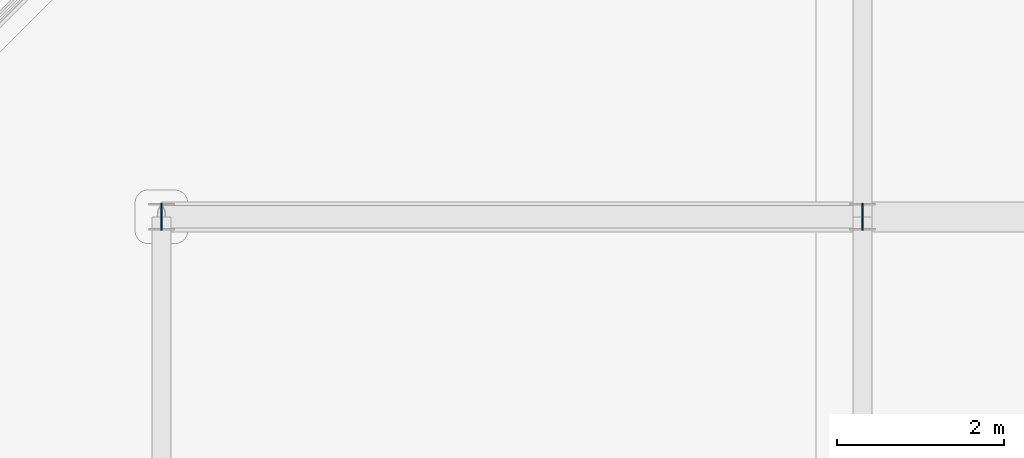
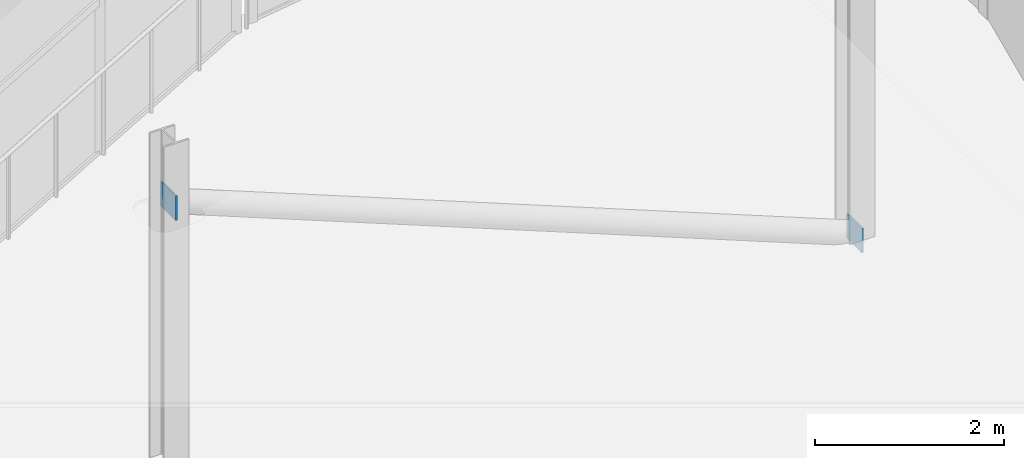
# One storey, part 123 of 151: 2 plates.
"""IFC4 building model written with IfcOpenShell, lengths in metres."""

from ifc_helpers import new_model, si_unit, direction, frame, origin, origin_2d, place, context, subcontext, project, spatial, rectangle, extrude, material, layer, layer_set, type_object, element, save


model = new_model("IFC4")

# Units and contexts
model_context = context("Model", 3, precision=1e-05, world=origin(), true_north=direction((0.0, 1.0)))
body_context = subcontext(model_context, "Body", "Model", "MODEL_VIEW")
ifc_project = project(units=[si_unit("LENGTHUNIT", "METRE"), si_unit("AREAUNIT", "SQUARE_METRE"), si_unit("VOLUMEUNIT", "CUBIC_METRE"), si_unit("PLANEANGLEUNIT", "RADIAN"), si_unit("MASSUNIT", "GRAM", prefix="KILO")], contexts=[model_context])

# Site, building, storey
site_placement = place(None, origin())
site = spatial("IfcSite", under=ifc_project, at=site_placement, CompositionType="ELEMENT")
building_placement = place(site_placement, origin())
building = spatial("IfcBuilding", under=site, at=building_placement, Name="Zuvorla Pavilion Media Centre", CompositionType="ELEMENT")
storey_placement = place(building_placement, frame((0.0, 0.0, 13.800048828125)))
storey = spatial("IfcBuildingStorey", under=building, at=storey_placement, Name="L03", CompositionType="ELEMENT", Elevation=13.800048828125)

# Plates
ifc_material = material(Name="Steel S355", Category="steel")
ifc_layer = layer(ifc_material, 0.02001953125)
ifc_layer_set = layer_set([ifc_layer], Name="Steel S355")
plate_type = type_object("IfcPlateType", Name="PLT-GUS-20", PredefinedType="USERDEFINED", material=ifc_layer_set)
for number, where, z_axis, x_axis, name in (
    (1, (24.800048828125, 82.0, -0.16015625), (0.0, 0.0, 1.0), (1.0, 0.0, 0.0), "L03 gusset plate GP20 213"),
    (2, (16.39990234375, 82.0, 3.19970703125), (0.0, 0.0, 1.0), (1.0, 0.0, 0.0), "L03 gusset plate GP20 214"),
):
    element("IfcPlate", number, at=place(storey_placement, frame(where, z_axis=z_axis, x_axis=x_axis)), inside=storey, type_object=plate_type, Name=name, ObjectType="GUSSET_PLATE", PredefinedType="USERDEFINED", context=body_context, shape_type="SweptSolid", body=[
        extrude(rectangle(XDim=0.02001953125, YDim=0.320068359375, at=origin_2d()), origin(), (0.0, 0.0, 1.0), 0.320068359375),
    ])

save(model, "model.ifc")
